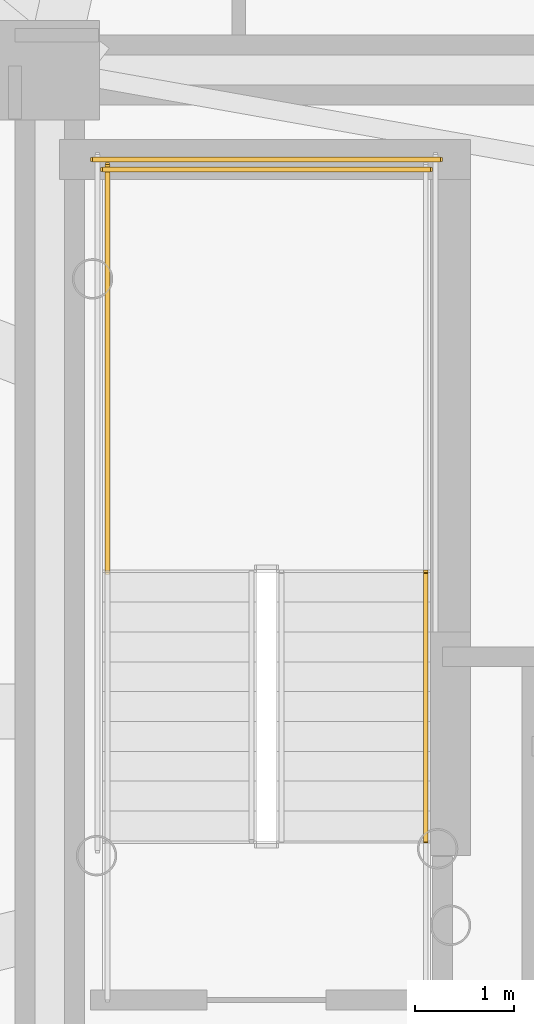
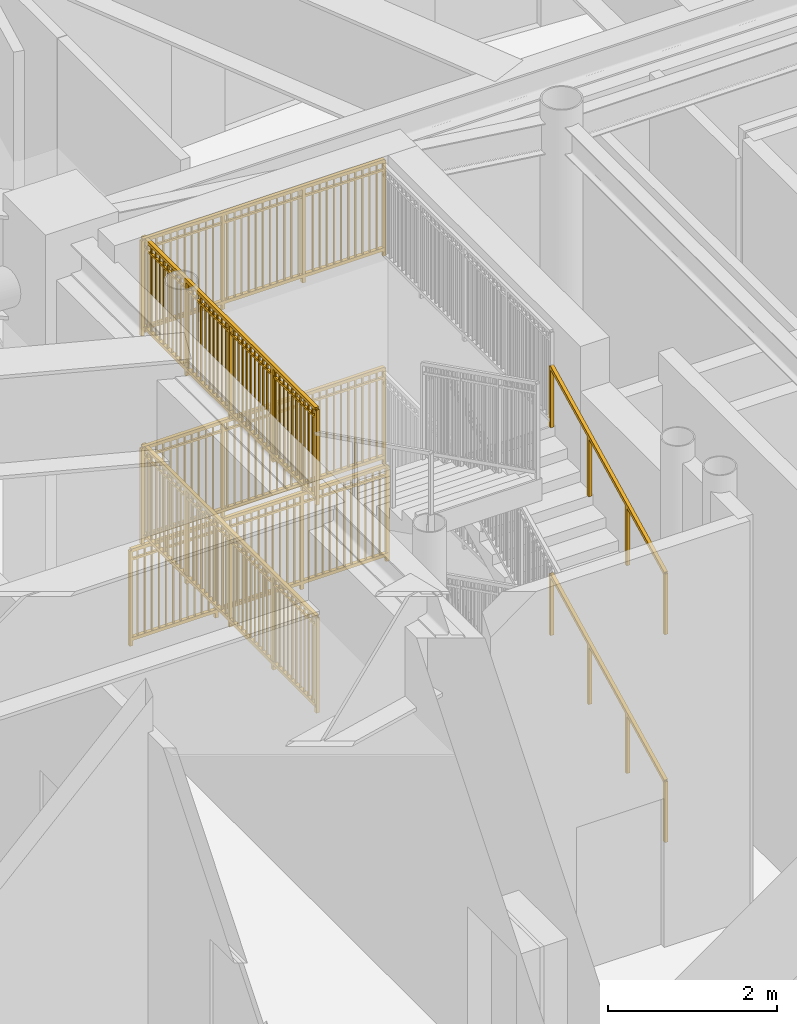
# One storey, part 14 of 17: 7 railings.
"""IFC4 building model written with IfcOpenShell, lengths in metres."""

from ifc_helpers import new_model, si_unit, direction, frame, origin, origin_2d, place, context, subcontext, project, spatial, rectangle, extrude, source, transform, mapped, material, type_object, element, save


model = new_model("IFC4")

# Units and contexts
model_context = context("Model", 3, precision=1e-05, world=origin(), true_north=direction((0.0, 1.0)))
body_context = subcontext(model_context, "Body", "Model", "MODEL_VIEW")
ifc_project = project(units=[si_unit("LENGTHUNIT", "METRE"), si_unit("AREAUNIT", "SQUARE_METRE"), si_unit("VOLUMEUNIT", "CUBIC_METRE"), si_unit("PLANEANGLEUNIT", "RADIAN"), si_unit("MASSUNIT", "GRAM", prefix="KILO")], contexts=[model_context])

# Site, building, storey
site_placement = place(None, origin())
site = spatial("IfcSite", under=ifc_project, at=site_placement, CompositionType="ELEMENT")
building_placement = place(site_placement, origin())
building = spatial("IfcBuilding", under=site, at=building_placement, Name="Linh Dai School and Residence Tower", CompositionType="ELEMENT")
storey_placement = place(building_placement, frame((0.0, 0.0, 318.0)))
storey = spatial("IfcBuildingStorey", under=building, at=storey_placement, Name="L79", CompositionType="ELEMENT", Elevation=318.0)

# Railings
ifc_material_1 = material(Name="Structural Steel S355JR", Category="steel")
railing_type_1 = type_object("IfcRailingType", Name="RL-ST-GUARD-1400", PredefinedType="GUARDRAIL", material=ifc_material_1)
shared_shape_1 = source(origin(), body_context, "Body", "SweptSolid", [
    extrude(rectangle(XDim=0.048095703125, YDim=0.048095703125, at=origin_2d()), frame((0.0, 0.0, 1.3759765625), z_axis=(-1.0, 0.0, 0.0), x_axis=(0.0, -1.0, 0.0)), (0.0, 0.0, 1.0), 3.300048828125),
    extrude(rectangle(XDim=0.048095703125, YDim=0.048095703125, at=origin_2d()), frame((0.0, 0.0, 0.10009765625), z_axis=(-1.0, 0.0, 0.0), x_axis=(0.0, -1.0, 0.0)), (0.0, 0.0, 1.0), 3.300048828125),
    extrude(rectangle(XDim=0.030029296875, YDim=0.030029296875, at=origin_2d()), frame((0.0, 0.0, 1.239990234375), z_axis=(-1.0, 0.0, 0.0), x_axis=(0.0, -1.0, 0.0)), (0.0, 0.0, 1.0), 3.300048828125),
    extrude(rectangle(XDim=0.02001953125, YDim=0.02001953125, at=origin_2d()), frame((-0.09716796875, 0.0, 0.10009765625)), (0.0, 0.0, 1.0), 1.251708984375),
    extrude(rectangle(XDim=0.02001953125, YDim=0.02001953125, at=origin_2d()), frame((-0.194091796875, 0.0, 0.10009765625)), (0.0, 0.0, 1.0), 1.251708984375),
    extrude(rectangle(XDim=0.02001953125, YDim=0.02001953125, at=origin_2d()), frame((-0.291259765625, 0.0, 0.10009765625)), (0.0, 0.0, 1.0), 1.251708984375),
    extrude(rectangle(XDim=0.02001953125, YDim=0.02001953125, at=origin_2d()), frame((-0.38818359375, 0.0, 0.10009765625)), (0.0, 0.0, 1.0), 1.251708984375),
    extrude(rectangle(XDim=0.02001953125, YDim=0.02001953125, at=origin_2d()), frame((-0.4853515625, 0.0, 0.10009765625)), (0.0, 0.0, 1.0), 1.251708984375),
    extrude(rectangle(XDim=0.02001953125, YDim=0.02001953125, at=origin_2d()), frame((-0.582275390625, 0.0, 0.10009765625)), (0.0, 0.0, 1.0), 1.251708984375),
    extrude(rectangle(XDim=0.02001953125, YDim=0.02001953125, at=origin_2d()), frame((-0.679443359375, 0.0, 0.10009765625)), (0.0, 0.0, 1.0), 1.251708984375),
    extrude(rectangle(XDim=0.02001953125, YDim=0.02001953125, at=origin_2d()), frame((-0.7763671875, 0.0, 0.10009765625)), (0.0, 0.0, 1.0), 1.251708984375),
    extrude(rectangle(XDim=0.02001953125, YDim=0.02001953125, at=origin_2d()), frame((-0.87353515625, 0.0, 0.10009765625)), (0.0, 0.0, 1.0), 1.251708984375),
    extrude(rectangle(XDim=0.02001953125, YDim=0.02001953125, at=origin_2d()), frame((-0.970703125, 0.0, 0.10009765625)), (0.0, 0.0, 1.0), 1.251708984375),
    extrude(rectangle(XDim=0.02001953125, YDim=0.02001953125, at=origin_2d()), frame((-1.164794921875, 0.0, 0.10009765625)), (0.0, 0.0, 1.0), 1.251708984375),
    extrude(rectangle(XDim=0.02001953125, YDim=0.02001953125, at=origin_2d()), frame((-1.26171875, 0.0, 0.10009765625)), (0.0, 0.0, 1.0), 1.251708984375),
    extrude(rectangle(XDim=0.02001953125, YDim=0.02001953125, at=origin_2d()), frame((-1.35888671875, 0.0, 0.10009765625)), (0.0, 0.0, 1.0), 1.251708984375),
    extrude(rectangle(XDim=0.02001953125, YDim=0.02001953125, at=origin_2d()), frame((-1.455810546875, 0.0, 0.10009765625)), (0.0, 0.0, 1.0), 1.251708984375),
    extrude(rectangle(XDim=0.02001953125, YDim=0.02001953125, at=origin_2d()), frame((-1.552978515625, 0.0, 0.10009765625)), (0.0, 0.0, 1.0), 1.251708984375),
    extrude(rectangle(XDim=0.02001953125, YDim=0.02001953125, at=origin_2d()), frame((-1.64990234375, 0.0, 0.10009765625)), (0.0, 0.0, 1.0), 1.251708984375),
    extrude(rectangle(XDim=0.02001953125, YDim=0.02001953125, at=origin_2d()), frame((-1.7470703125, 0.0, 0.10009765625)), (0.0, 0.0, 1.0), 1.251708984375),
    extrude(rectangle(XDim=0.02001953125, YDim=0.02001953125, at=origin_2d()), frame((-1.84423828125, 0.0, 0.10009765625)), (0.0, 0.0, 1.0), 1.251708984375),
    extrude(rectangle(XDim=0.02001953125, YDim=0.02001953125, at=origin_2d()), frame((-1.941162109375, 0.0, 0.10009765625)), (0.0, 0.0, 1.0), 1.251708984375),
    extrude(rectangle(XDim=0.02001953125, YDim=0.02001953125, at=origin_2d()), frame((-2.038330078125, 0.0, 0.10009765625)), (0.0, 0.0, 1.0), 1.251708984375),
    extrude(rectangle(XDim=0.02001953125, YDim=0.02001953125, at=origin_2d()), frame((-2.13525390625, 0.0, 0.10009765625)), (0.0, 0.0, 1.0), 1.251708984375),
    extrude(rectangle(XDim=0.02001953125, YDim=0.02001953125, at=origin_2d()), frame((-2.329345703125, 0.0, 0.10009765625)), (0.0, 0.0, 1.0), 1.251708984375),
    extrude(rectangle(XDim=0.02001953125, YDim=0.02001953125, at=origin_2d()), frame((-2.426513671875, 0.0, 0.10009765625)), (0.0, 0.0, 1.0), 1.251708984375),
    extrude(rectangle(XDim=0.02001953125, YDim=0.02001953125, at=origin_2d()), frame((-2.523681640625, 0.0, 0.10009765625)), (0.0, 0.0, 1.0), 1.251708984375),
    extrude(rectangle(XDim=0.02001953125, YDim=0.02001953125, at=origin_2d()), frame((-2.62060546875, 0.0, 0.10009765625)), (0.0, 0.0, 1.0), 1.251708984375),
    extrude(rectangle(XDim=0.02001953125, YDim=0.02001953125, at=origin_2d()), frame((-2.7177734375, 0.0, 0.10009765625)), (0.0, 0.0, 1.0), 1.251708984375),
    extrude(rectangle(XDim=0.02001953125, YDim=0.02001953125, at=origin_2d()), frame((-2.814697265625, 0.0, 0.10009765625)), (0.0, 0.0, 1.0), 1.251708984375),
    extrude(rectangle(XDim=0.02001953125, YDim=0.02001953125, at=origin_2d()), frame((-2.911865234375, 0.0, 0.10009765625)), (0.0, 0.0, 1.0), 1.251708984375),
    extrude(rectangle(XDim=0.02001953125, YDim=0.02001953125, at=origin_2d()), frame((-3.0087890625, 0.0, 0.10009765625)), (0.0, 0.0, 1.0), 1.251708984375),
    extrude(rectangle(XDim=0.02001953125, YDim=0.02001953125, at=origin_2d()), frame((-3.10595703125, 0.0, 0.10009765625)), (0.0, 0.0, 1.0), 1.251708984375),
    extrude(rectangle(XDim=0.02001953125, YDim=0.02001953125, at=origin_2d()), frame((-3.202880859375, 0.0, 0.10009765625)), (0.0, 0.0, 1.0), 1.251708984375),
    extrude(rectangle(XDim=0.0419921875, YDim=0.0419921875, at=origin_2d()), origin(), (0.0, 0.0, 1.0), 1.3759765625),
    extrude(rectangle(XDim=0.0419921875, YDim=0.0419921875, at=origin_2d()), frame((-1.10009765625, 0.0, 0.0)), (0.0, 0.0, 1.0), 1.3759765625),
    extrude(rectangle(XDim=0.0419921875, YDim=0.0419921875, at=origin_2d()), frame((-2.199951171875, 0.0, 0.0)), (0.0, 0.0, 1.0), 1.3759765625),
    extrude(rectangle(XDim=0.0419921875, YDim=0.0419921875, at=origin_2d()), frame((-3.300048828125, 0.0, 0.0)), (0.0, 0.0, 1.0), 1.3759765625),
])
for number, where, name in (
    (1, (30.97998046875, 32.449951171875, 1.5), "L79 ST1 stair guard 5"),
    (2, (30.97998046875, 32.449951171875, 4.5), "L79 ST1 stair guard 14"),
):
    element("IfcRailing", number, at=place(storey_placement, frame(where)), inside=storey, type_object=railing_type_1, Name=name, PredefinedType="GUARDRAIL", context=body_context, shape_type="MappedRepresentation", body=[
        mapped(shared_shape_1, transform((0.0, 0.0, 0.0), x_axis=(1.0, 0.0, 0.0), y_axis=(0.0, 1.0, 0.0), z_axis=(0.0, 0.0, 1.0), scale=1.0)),
    ])
shared_shape_2 = source(origin(), body_context, "Body", "SweptSolid", [
    extrude(rectangle(XDim=0.048095703125, YDim=0.048095703125, at=origin_2d()), frame((0.0, 0.0, 1.3759765625), z_axis=(-1.0, 0.0, 0.0), x_axis=(0.0, -1.0, 0.0)), (0.0, 0.0, 1.0), 3.5),
    extrude(rectangle(XDim=0.048095703125, YDim=0.048095703125, at=origin_2d()), frame((0.0, 0.0, 0.10009765625), z_axis=(-1.0, 0.0, 0.0), x_axis=(0.0, -1.0, 0.0)), (0.0, 0.0, 1.0), 3.5),
    extrude(rectangle(XDim=0.030029296875, YDim=0.030029296875, at=origin_2d()), frame((0.0, 0.0, 1.239990234375), z_axis=(-1.0, 0.0, 0.0), x_axis=(0.0, -1.0, 0.0)), (0.0, 0.0, 1.0), 3.5),
    extrude(rectangle(XDim=0.02001953125, YDim=0.02001953125, at=origin_2d()), frame((-0.09716796875, 0.0, 0.10009765625)), (0.0, 0.0, 1.0), 1.251708984375),
    extrude(rectangle(XDim=0.02001953125, YDim=0.02001953125, at=origin_2d()), frame((-0.1943359375, 0.0, 0.10009765625)), (0.0, 0.0, 1.0), 1.251708984375),
    extrude(rectangle(XDim=0.02001953125, YDim=0.02001953125, at=origin_2d()), frame((-0.291748046875, 0.0, 0.10009765625)), (0.0, 0.0, 1.0), 1.251708984375),
    extrude(rectangle(XDim=0.02001953125, YDim=0.02001953125, at=origin_2d()), frame((-0.388916015625, 0.0, 0.10009765625)), (0.0, 0.0, 1.0), 1.251708984375),
    extrude(rectangle(XDim=0.02001953125, YDim=0.02001953125, at=origin_2d()), frame((-0.486083984375, 0.0, 0.10009765625)), (0.0, 0.0, 1.0), 1.251708984375),
    extrude(rectangle(XDim=0.02001953125, YDim=0.02001953125, at=origin_2d()), frame((-0.583251953125, 0.0, 0.10009765625)), (0.0, 0.0, 1.0), 1.251708984375),
    extrude(rectangle(XDim=0.02001953125, YDim=0.02001953125, at=origin_2d()), frame((-0.6806640625, 0.0, 0.10009765625)), (0.0, 0.0, 1.0), 1.251708984375),
    extrude(rectangle(XDim=0.02001953125, YDim=0.02001953125, at=origin_2d()), frame((-0.77783203125, 0.0, 0.10009765625)), (0.0, 0.0, 1.0), 1.251708984375),
    extrude(rectangle(XDim=0.02001953125, YDim=0.02001953125, at=origin_2d()), frame((-0.875, 0.0, 0.10009765625)), (0.0, 0.0, 1.0), 1.251708984375),
    extrude(rectangle(XDim=0.02001953125, YDim=0.02001953125, at=origin_2d()), frame((-0.97216796875, 0.0, 0.10009765625)), (0.0, 0.0, 1.0), 1.251708984375),
    extrude(rectangle(XDim=0.02001953125, YDim=0.02001953125, at=origin_2d()), frame((-1.0693359375, 0.0, 0.10009765625)), (0.0, 0.0, 1.0), 1.251708984375),
    extrude(rectangle(XDim=0.02001953125, YDim=0.02001953125, at=origin_2d()), frame((-1.263916015625, 0.0, 0.10009765625)), (0.0, 0.0, 1.0), 1.251708984375),
    extrude(rectangle(XDim=0.02001953125, YDim=0.02001953125, at=origin_2d()), frame((-1.361083984375, 0.0, 0.10009765625)), (0.0, 0.0, 1.0), 1.251708984375),
    extrude(rectangle(XDim=0.02001953125, YDim=0.02001953125, at=origin_2d()), frame((-1.458251953125, 0.0, 0.10009765625)), (0.0, 0.0, 1.0), 1.251708984375),
    extrude(rectangle(XDim=0.02001953125, YDim=0.02001953125, at=origin_2d()), frame((-1.5556640625, 0.0, 0.10009765625)), (0.0, 0.0, 1.0), 1.251708984375),
    extrude(rectangle(XDim=0.02001953125, YDim=0.02001953125, at=origin_2d()), frame((-1.65283203125, 0.0, 0.10009765625)), (0.0, 0.0, 1.0), 1.251708984375),
    extrude(rectangle(XDim=0.02001953125, YDim=0.02001953125, at=origin_2d()), frame((-1.75, 0.0, 0.10009765625)), (0.0, 0.0, 1.0), 1.251708984375),
    extrude(rectangle(XDim=0.02001953125, YDim=0.02001953125, at=origin_2d()), frame((-1.84716796875, 0.0, 0.10009765625)), (0.0, 0.0, 1.0), 1.251708984375),
    extrude(rectangle(XDim=0.02001953125, YDim=0.02001953125, at=origin_2d()), frame((-1.9443359375, 0.0, 0.10009765625)), (0.0, 0.0, 1.0), 1.251708984375),
    extrude(rectangle(XDim=0.02001953125, YDim=0.02001953125, at=origin_2d()), frame((-2.041748046875, 0.0, 0.10009765625)), (0.0, 0.0, 1.0), 1.251708984375),
    extrude(rectangle(XDim=0.02001953125, YDim=0.02001953125, at=origin_2d()), frame((-2.138916015625, 0.0, 0.10009765625)), (0.0, 0.0, 1.0), 1.251708984375),
    extrude(rectangle(XDim=0.02001953125, YDim=0.02001953125, at=origin_2d()), frame((-2.236083984375, 0.0, 0.10009765625)), (0.0, 0.0, 1.0), 1.251708984375),
    extrude(rectangle(XDim=0.02001953125, YDim=0.02001953125, at=origin_2d()), frame((-2.4306640625, 0.0, 0.10009765625)), (0.0, 0.0, 1.0), 1.251708984375),
    extrude(rectangle(XDim=0.02001953125, YDim=0.02001953125, at=origin_2d()), frame((-2.52783203125, 0.0, 0.10009765625)), (0.0, 0.0, 1.0), 1.251708984375),
    extrude(rectangle(XDim=0.02001953125, YDim=0.02001953125, at=origin_2d()), frame((-2.625, 0.0, 0.10009765625)), (0.0, 0.0, 1.0), 1.251708984375),
    extrude(rectangle(XDim=0.02001953125, YDim=0.02001953125, at=origin_2d()), frame((-2.72216796875, 0.0, 0.10009765625)), (0.0, 0.0, 1.0), 1.251708984375),
    extrude(rectangle(XDim=0.02001953125, YDim=0.02001953125, at=origin_2d()), frame((-2.8193359375, 0.0, 0.10009765625)), (0.0, 0.0, 1.0), 1.251708984375),
    extrude(rectangle(XDim=0.02001953125, YDim=0.02001953125, at=origin_2d()), frame((-2.916748046875, 0.0, 0.10009765625)), (0.0, 0.0, 1.0), 1.251708984375),
    extrude(rectangle(XDim=0.02001953125, YDim=0.02001953125, at=origin_2d()), frame((-3.013916015625, 0.0, 0.10009765625)), (0.0, 0.0, 1.0), 1.251708984375),
    extrude(rectangle(XDim=0.02001953125, YDim=0.02001953125, at=origin_2d()), frame((-3.111083984375, 0.0, 0.10009765625)), (0.0, 0.0, 1.0), 1.251708984375),
    extrude(rectangle(XDim=0.02001953125, YDim=0.02001953125, at=origin_2d()), frame((-3.208251953125, 0.0, 0.10009765625)), (0.0, 0.0, 1.0), 1.251708984375),
    extrude(rectangle(XDim=0.02001953125, YDim=0.02001953125, at=origin_2d()), frame((-3.3056640625, 0.0, 0.10009765625)), (0.0, 0.0, 1.0), 1.251708984375),
    extrude(rectangle(XDim=0.02001953125, YDim=0.02001953125, at=origin_2d()), frame((-3.40283203125, 0.0, 0.10009765625)), (0.0, 0.0, 1.0), 1.251708984375),
    extrude(rectangle(XDim=0.0419921875, YDim=0.0419921875, at=origin_2d()), origin(), (0.0, 0.0, 1.0), 1.3759765625),
    extrude(rectangle(XDim=0.0419921875, YDim=0.0419921875, at=origin_2d()), frame((-1.166748046875, 0.0, 0.0)), (0.0, 0.0, 1.0), 1.3759765625),
    extrude(rectangle(XDim=0.0419921875, YDim=0.0419921875, at=origin_2d()), frame((-2.333251953125, 0.0, 0.0)), (0.0, 0.0, 1.0), 1.3759765625),
    extrude(rectangle(XDim=0.0419921875, YDim=0.0419921875, at=origin_2d()), frame((-3.5, 0.0, 0.0)), (0.0, 0.0, 1.0), 1.3759765625),
])
railing_placement = place(storey_placement, frame((31.080078125, 32.550048828125, 0.0)))
element("IfcRailing", 3, at=railing_placement, inside=storey, type_object=railing_type_1, Name="L79 ST1 stair guard 21", PredefinedType="GUARDRAIL", context=body_context, shape_type="MappedRepresentation", body=[
    mapped(shared_shape_2, transform((0.0, 0.0, 0.0), x_axis=(1.0, 0.0, 0.0), y_axis=(0.0, 1.0, 0.0), z_axis=(0.0, 0.0, 1.0), scale=1.0)),
])
shared_shape_3 = source(origin(), body_context, "Body", "SweptSolid", [
    extrude(rectangle(XDim=0.048095703125, YDim=0.048095703125, at=origin_2d()), frame((0.0, 0.0, 1.3759765625), z_axis=(0.0, 1.0, 0.0), x_axis=(-1.0, 0.0, 0.0)), (0.0, 0.0, 1.0), 4.10009765625),
    extrude(rectangle(XDim=0.048095703125, YDim=0.048095703125, at=origin_2d()), frame((0.0, 0.0, 0.10009765625), z_axis=(0.0, 1.0, 0.0), x_axis=(-1.0, 0.0, 0.0)), (0.0, 0.0, 1.0), 4.10009765625),
    extrude(rectangle(XDim=0.030029296875, YDim=0.030029296875, at=origin_2d()), frame((0.0, 0.0, 1.239990234375), z_axis=(0.0, 1.0, 0.0), x_axis=(-1.0, 0.0, 0.0)), (0.0, 0.0, 1.0), 4.10009765625),
    extrude(rectangle(XDim=0.02001953125, YDim=0.02001953125, at=origin_2d()), frame((0.0, 0.09765625, 0.10009765625)), (0.0, 0.0, 1.0), 1.251708984375),
    extrude(rectangle(XDim=0.02001953125, YDim=0.02001953125, at=origin_2d()), frame((0.0, 0.1953125, 0.10009765625)), (0.0, 0.0, 1.0), 1.251708984375),
    extrude(rectangle(XDim=0.02001953125, YDim=0.02001953125, at=origin_2d()), frame((0.0, 0.29296875, 0.10009765625)), (0.0, 0.0, 1.0), 1.251708984375),
    extrude(rectangle(XDim=0.02001953125, YDim=0.02001953125, at=origin_2d()), frame((0.0, 0.390380859375, 0.10009765625)), (0.0, 0.0, 1.0), 1.251708984375),
    extrude(rectangle(XDim=0.02001953125, YDim=0.02001953125, at=origin_2d()), frame((0.0, 0.488037109375, 0.10009765625)), (0.0, 0.0, 1.0), 1.251708984375),
    extrude(rectangle(XDim=0.02001953125, YDim=0.02001953125, at=origin_2d()), frame((0.0, 0.585693359375, 0.10009765625)), (0.0, 0.0, 1.0), 1.251708984375),
    extrude(rectangle(XDim=0.02001953125, YDim=0.02001953125, at=origin_2d()), frame((0.0, 0.683349609375, 0.10009765625)), (0.0, 0.0, 1.0), 1.251708984375),
    extrude(rectangle(XDim=0.02001953125, YDim=0.02001953125, at=origin_2d()), frame((0.0, 0.781005859375, 0.10009765625)), (0.0, 0.0, 1.0), 1.251708984375),
    extrude(rectangle(XDim=0.02001953125, YDim=0.02001953125, at=origin_2d()), frame((0.0, 0.878662109375, 0.10009765625)), (0.0, 0.0, 1.0), 1.251708984375),
    extrude(rectangle(XDim=0.02001953125, YDim=0.02001953125, at=origin_2d()), frame((0.0, 0.976318359375, 0.10009765625)), (0.0, 0.0, 1.0), 1.251708984375),
    extrude(rectangle(XDim=0.02001953125, YDim=0.02001953125, at=origin_2d()), frame((0.0, 1.07373046875, 0.10009765625)), (0.0, 0.0, 1.0), 1.251708984375),
    extrude(rectangle(XDim=0.02001953125, YDim=0.02001953125, at=origin_2d()), frame((0.0, 1.17138671875, 0.10009765625)), (0.0, 0.0, 1.0), 1.251708984375),
    extrude(rectangle(XDim=0.02001953125, YDim=0.02001953125, at=origin_2d()), frame((0.0, 1.26904296875, 0.10009765625)), (0.0, 0.0, 1.0), 1.251708984375),
    extrude(rectangle(XDim=0.02001953125, YDim=0.02001953125, at=origin_2d()), frame((0.0, 1.36669921875, 0.10009765625)), (0.0, 0.0, 1.0), 1.251708984375),
    extrude(rectangle(XDim=0.02001953125, YDim=0.02001953125, at=origin_2d()), frame((0.0, 1.46435546875, 0.10009765625)), (0.0, 0.0, 1.0), 1.251708984375),
    extrude(rectangle(XDim=0.02001953125, YDim=0.02001953125, at=origin_2d()), frame((0.0, 1.56201171875, 0.10009765625)), (0.0, 0.0, 1.0), 1.251708984375),
    extrude(rectangle(XDim=0.02001953125, YDim=0.02001953125, at=origin_2d()), frame((0.0, 1.65966796875, 0.10009765625)), (0.0, 0.0, 1.0), 1.251708984375),
    extrude(rectangle(XDim=0.02001953125, YDim=0.02001953125, at=origin_2d()), frame((0.0, 1.757080078125, 0.10009765625)), (0.0, 0.0, 1.0), 1.251708984375),
    extrude(rectangle(XDim=0.02001953125, YDim=0.02001953125, at=origin_2d()), frame((0.0, 1.854736328125, 0.10009765625)), (0.0, 0.0, 1.0), 1.251708984375),
    extrude(rectangle(XDim=0.02001953125, YDim=0.02001953125, at=origin_2d()), frame((0.0, 1.952392578125, 0.10009765625)), (0.0, 0.0, 1.0), 1.251708984375),
    extrude(rectangle(XDim=0.02001953125, YDim=0.02001953125, at=origin_2d()), frame((0.0, 2.147705078125, 0.10009765625)), (0.0, 0.0, 1.0), 1.251708984375),
    extrude(rectangle(XDim=0.02001953125, YDim=0.02001953125, at=origin_2d()), frame((0.0, 2.245361328125, 0.10009765625)), (0.0, 0.0, 1.0), 1.251708984375),
    extrude(rectangle(XDim=0.02001953125, YDim=0.02001953125, at=origin_2d()), frame((0.0, 2.343017578125, 0.10009765625)), (0.0, 0.0, 1.0), 1.251708984375),
    extrude(rectangle(XDim=0.02001953125, YDim=0.02001953125, at=origin_2d()), frame((0.0, 2.4404296875, 0.10009765625)), (0.0, 0.0, 1.0), 1.251708984375),
    extrude(rectangle(XDim=0.02001953125, YDim=0.02001953125, at=origin_2d()), frame((0.0, 2.5380859375, 0.10009765625)), (0.0, 0.0, 1.0), 1.251708984375),
    extrude(rectangle(XDim=0.02001953125, YDim=0.02001953125, at=origin_2d()), frame((0.0, 2.6357421875, 0.10009765625)), (0.0, 0.0, 1.0), 1.251708984375),
    extrude(rectangle(XDim=0.02001953125, YDim=0.02001953125, at=origin_2d()), frame((0.0, 2.7333984375, 0.10009765625)), (0.0, 0.0, 1.0), 1.251708984375),
    extrude(rectangle(XDim=0.02001953125, YDim=0.02001953125, at=origin_2d()), frame((0.0, 2.8310546875, 0.10009765625)), (0.0, 0.0, 1.0), 1.251708984375),
    extrude(rectangle(XDim=0.02001953125, YDim=0.02001953125, at=origin_2d()), frame((0.0, 2.9287109375, 0.10009765625)), (0.0, 0.0, 1.0), 1.251708984375),
    extrude(rectangle(XDim=0.02001953125, YDim=0.02001953125, at=origin_2d()), frame((0.0, 3.0263671875, 0.10009765625)), (0.0, 0.0, 1.0), 1.251708984375),
    extrude(rectangle(XDim=0.02001953125, YDim=0.02001953125, at=origin_2d()), frame((0.0, 3.123779296875, 0.10009765625)), (0.0, 0.0, 1.0), 1.251708984375),
    extrude(rectangle(XDim=0.02001953125, YDim=0.02001953125, at=origin_2d()), frame((0.0, 3.221435546875, 0.10009765625)), (0.0, 0.0, 1.0), 1.251708984375),
    extrude(rectangle(XDim=0.02001953125, YDim=0.02001953125, at=origin_2d()), frame((0.0, 3.319091796875, 0.10009765625)), (0.0, 0.0, 1.0), 1.251708984375),
    extrude(rectangle(XDim=0.02001953125, YDim=0.02001953125, at=origin_2d()), frame((0.0, 3.416748046875, 0.10009765625)), (0.0, 0.0, 1.0), 1.251708984375),
    extrude(rectangle(XDim=0.02001953125, YDim=0.02001953125, at=origin_2d()), frame((0.0, 3.514404296875, 0.10009765625)), (0.0, 0.0, 1.0), 1.251708984375),
    extrude(rectangle(XDim=0.02001953125, YDim=0.02001953125, at=origin_2d()), frame((0.0, 3.612060546875, 0.10009765625)), (0.0, 0.0, 1.0), 1.251708984375),
    extrude(rectangle(XDim=0.02001953125, YDim=0.02001953125, at=origin_2d()), frame((0.0, 3.709716796875, 0.10009765625)), (0.0, 0.0, 1.0), 1.251708984375),
    extrude(rectangle(XDim=0.02001953125, YDim=0.02001953125, at=origin_2d()), frame((0.0, 3.80712890625, 0.10009765625)), (0.0, 0.0, 1.0), 1.251708984375),
    extrude(rectangle(XDim=0.02001953125, YDim=0.02001953125, at=origin_2d()), frame((0.0, 3.90478515625, 0.10009765625)), (0.0, 0.0, 1.0), 1.251708984375),
    extrude(rectangle(XDim=0.02001953125, YDim=0.02001953125, at=origin_2d()), frame((0.0, 4.00244140625, 0.10009765625)), (0.0, 0.0, 1.0), 1.251708984375),
    extrude(rectangle(XDim=0.0419921875, YDim=0.0419921875, at=origin_2d()), origin(), (0.0, 0.0, 1.0), 1.3759765625),
    extrude(rectangle(XDim=0.0419921875, YDim=0.0419921875, at=origin_2d()), frame((0.0, 1.02490234375, 0.0)), (0.0, 0.0, 1.0), 1.3759765625),
    extrude(rectangle(XDim=0.0419921875, YDim=0.0419921875, at=origin_2d()), frame((0.0, 2.050048828125, 0.0)), (0.0, 0.0, 1.0), 1.3759765625),
    extrude(rectangle(XDim=0.0419921875, YDim=0.0419921875, at=origin_2d()), frame((0.0, 3.0751953125, 0.0)), (0.0, 0.0, 1.0), 1.3759765625),
    extrude(rectangle(XDim=0.0419921875, YDim=0.0419921875, at=origin_2d()), frame((0.0, 4.10009765625, 0.0)), (0.0, 0.0, 1.0), 1.3759765625),
])
for number, where, name in (
    (4, (27.72998046875, 28.39990234375, 1.5), "L79 ST1 stair guard 4"),
    (5, (27.72998046875, 28.39990234375, 4.5), "L79 ST1 stair guard 13"),
):
    element("IfcRailing", number, at=place(storey_placement, frame(where)), inside=storey, type_object=railing_type_1, Name=name, PredefinedType="GUARDRAIL", context=body_context, shape_type="MappedRepresentation", body=[
        mapped(shared_shape_3, transform((0.0, 0.0, 0.0), x_axis=(1.0, 0.0, 0.0), y_axis=(0.0, 1.0, 0.0), z_axis=(0.0, 0.0, 1.0), scale=1.0)),
    ])
ifc_material_2 = material(Name="Brushed Stainless Steel Handrail", Category="steel")
railing_type_2 = type_object("IfcRailingType", Name="RL-ST-HANDRAIL-900", PredefinedType="HANDRAIL", material=ifc_material_2)
shared_shape_4 = source(origin(), body_context, "Body", "SweptSolid", [
    extrude(rectangle(XDim=0.048095703125, YDim=0.048095703125, at=origin_2d()), frame((0.0, 0.0, 0.8759765625), z_axis=(0.0, 0.894411015155, 0.447245945728), x_axis=(-1.0, 0.0, 0.0)), (0.0, 0.0, 1.0), 3.018798828125),
    extrude(rectangle(XDim=0.0419921875, YDim=0.0419921875, at=origin_2d()), origin(), (0.0, 0.0, 1.0), 0.8759765625),
    extrude(rectangle(XDim=0.0419921875, YDim=0.0419921875, at=origin_2d()), frame((0.0, 0.89990234375, 0.449951171875)), (0.0, 0.0, 1.0), 0.8759765625),
    extrude(rectangle(XDim=0.0419921875, YDim=0.0419921875, at=origin_2d()), frame((0.0, 1.800048828125, 0.900146484375)), (0.0, 0.0, 1.0), 0.8759765625),
    extrude(rectangle(XDim=0.0419921875, YDim=0.0419921875, at=origin_2d()), frame((0.0, 2.699951171875, 1.35009765625)), (0.0, 0.0, 1.0), 0.8759765625),
])
for number, where, name in (
    (6, (30.929931640625, 25.699951171875, 0.14990234375), "L79 ST1 stair handrail 1"),
    (7, (30.929931640625, 25.699951171875, 3.14990234375), "L79 ST1 stair handrail 3"),
):
    element("IfcRailing", number, at=place(storey_placement, frame(where)), inside=storey, type_object=railing_type_2, Name=name, PredefinedType="HANDRAIL", context=body_context, shape_type="MappedRepresentation", body=[
        mapped(shared_shape_4, transform((0.0, 0.0, 0.0), x_axis=(1.0, 0.0, 0.0), y_axis=(0.0, 1.0, 0.0), z_axis=(0.0, 0.0, 1.0), scale=1.0)),
    ])

save(model, "model.ifc")
